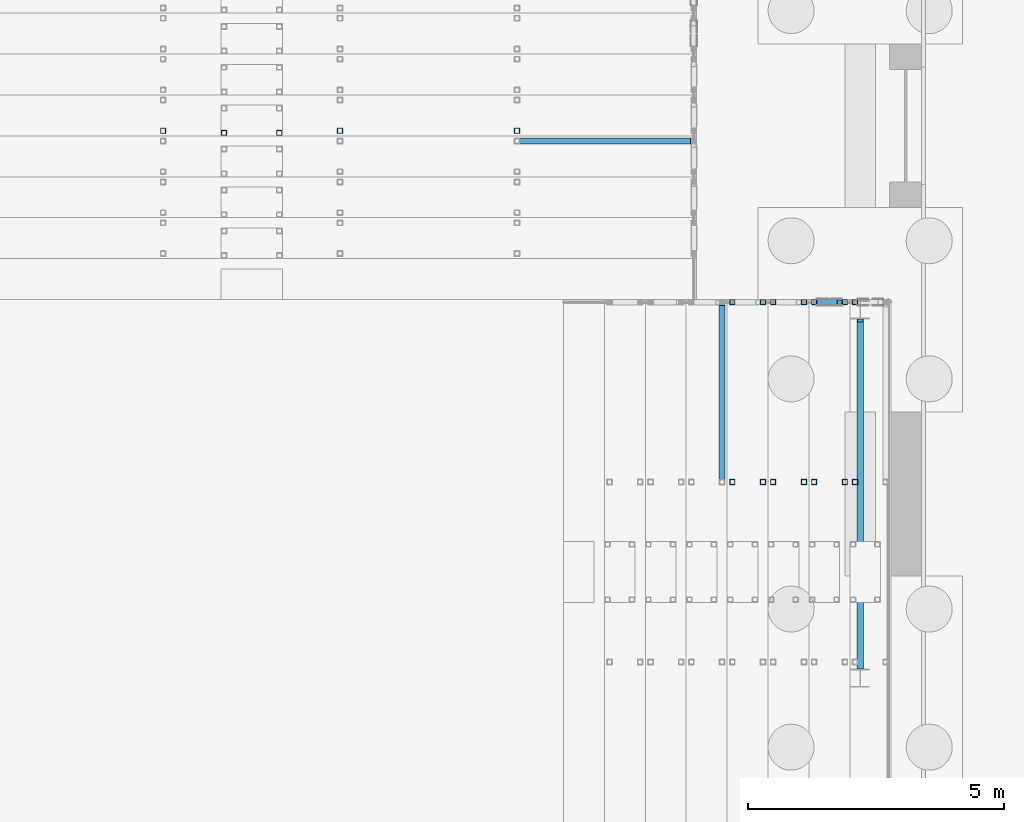
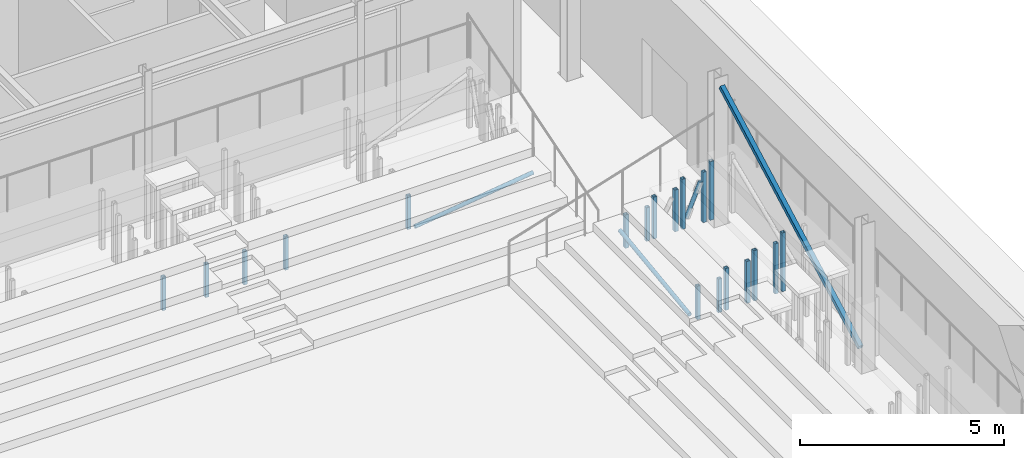
# One storey, part 53 of 139: 23 members.
"""IFC4 building model written with IfcOpenShell, lengths in metres."""

from ifc_helpers import new_model, si_unit, direction, frame, origin, origin_2d, place, context, subcontext, project, spatial, hollow_rectangle, hollow_circle, extrude, material, material_profile, profile_set, type_object, element, save


model = new_model("IFC4")

# Units and contexts
model_context = context("Model", 3, precision=1e-05, world=origin(), true_north=direction((0.0, 1.0)))
body_context = subcontext(model_context, "Body", "Model", "MODEL_VIEW")
ifc_project = project(units=[si_unit("LENGTHUNIT", "METRE"), si_unit("AREAUNIT", "SQUARE_METRE"), si_unit("VOLUMEUNIT", "CUBIC_METRE"), si_unit("PLANEANGLEUNIT", "RADIAN"), si_unit("MASSUNIT", "GRAM", prefix="KILO")], contexts=[model_context])

# Site, building, storey
site_placement = place(None, origin())
site = spatial("IfcSite", under=ifc_project, at=site_placement, CompositionType="ELEMENT")
building_placement = place(site_placement, origin())
building = spatial("IfcBuilding", under=site, at=building_placement, Name="Verrick Yard Athletic Hall", CompositionType="ELEMENT")
storey_placement = place(building_placement, origin())
storey = spatial("IfcBuildingStorey", under=building, at=storey_placement, Name="L00", CompositionType="ELEMENT", Elevation=0.0)

# Members
ifc_material = material(Name="Structural steel HSS Class C 350W (CSA G40.20/G40.21)", Category="steel")
ifc_material_profile_1 = material_profile(ifc_material, hollow_circle(Radius=0.05712890625, WallThickness=0.00634765625, at=origin_2d()), Name="HSS114x6.4")
ifc_profile_set_1 = profile_set([ifc_material_profile_1], Name="Structural steel HSS Class C 350W (CSA G40.20/G40.21)")
member_type_1 = type_object("IfcMemberType", Name="HB roof brace HSS114x6.4", PredefinedType="BRACE", material=ifc_profile_set_1)
member_1_placement = place(storey_placement, frame((162.949462890625, 96.89990234375, 0.151123046875), z_axis=(0.991140401, 0.0, 0.132818317656), x_axis=(0.0, 1.0, 0.0)))
element("IfcMember", 1, at=member_1_placement, inside=storey, type_object=member_type_1, Name="HB-BRL-RSA1-z4", PredefinedType="BRACE", context=body_context, shape_type="SweptSolid", body=[
    extrude(hollow_circle(Radius=0.05712890625, WallThickness=0.00634765625, at=origin_2d()), origin(), (0.0, 0.0, 1.0), 3.37109375),
])
member_2_placement = place(storey_placement, frame((168.803466796875, 93.749267578125, 0.277099609375), z_axis=(0.383768953832, 0.0, 0.923429147295), x_axis=(0.0, 1.0, 0.0)))
element("IfcMember", 2, at=member_2_placement, inside=storey, type_object=member_type_1, Name="HB-BRS-RSA2-z7", PredefinedType="BRACE", context=body_context, shape_type="SweptSolid", body=[
    extrude(hollow_circle(Radius=0.05712890625, WallThickness=0.00634765625, at=origin_2d()), origin(), (0.0, 0.0, 1.0), 1.024169921875),
])
member_3_placement = place(storey_placement, frame((166.89990234375, 90.291015625, 0.15087890625), z_axis=(0.0, 0.991420823535, 0.130708647997), x_axis=(-1.0, 0.0, 0.0)))
element("IfcMember", 3, at=member_3_placement, inside=storey, type_object=member_type_1, Name="HB-BRL-RSA2-z4", PredefinedType="BRACE", context=body_context, shape_type="SweptSolid", body=[
    extrude(hollow_circle(Radius=0.05712890625, WallThickness=0.00634765625, at=origin_2d()), origin(), (0.0, 0.0, 1.0), 3.429443359375),
])
ifc_material_profile_2 = material_profile(ifc_material, hollow_rectangle(XDim=0.1015625, YDim=0.1015625, WallThickness=0.00634765625, at=origin_2d()), Name="HSS102x102x6.4")
ifc_profile_set_2 = profile_set([ifc_material_profile_2], Name="Structural steel HSS Class C 350W (CSA G40.20/G40.21)")
member_type_2 = type_object("IfcMemberType", Name="HB seating post HSS102x102x6.4", PredefinedType="POST", material=ifc_profile_set_2)
for number, where, z_axis, x_axis, name in (
    (4, (157.163818359375, 97.06005859375, 0.0), (0.0, 0.0, 1.0), (0.0, 1.0, 0.0), "HB-SP-RSA1-A2S5a"),
    (5, (158.24365234375, 97.06005859375, 0.0), (0.0, 0.0, 1.0), (0.0, 1.0, 0.0), "HB-SP-RSA1-A2S5b"),
    (6, (155.974609375, 97.10009765625, 0.0), (0.0, 0.0, 1.0), (0.0, 1.0, 0.0), "HB-SP-RSA1-T5f10"),
    (7, (159.432861328125, 97.10009765625, 0.0), (0.0, 0.0, 1.0), (0.0, 1.0, 0.0), "HB-SP-RSA1-T5f11"),
    (8, (162.89111328125, 97.10009765625, 0.0), (0.0, 0.0, 1.0), (0.0, 1.0, 0.0), "HB-SP-RSA1-T5f12"),
    (9, (167.10009765625, 90.23291015625, 0.0), (0.0, 0.0, 1.0), (0.0, 1.0, 0.0), "HB-SP-RSA2-T5f6"),
    (10, (167.10009765625, 93.749267578125, 0.0), (0.0, 0.0, 1.0), (0.0, 1.0, 0.0), "HB-SP-RSA2-T5f7"),
    (11, (167.699951171875, 90.23291015625, 0.0), (0.0, 0.0, 1.0), (0.0, 1.0, 0.0), "HB-SP-RSA2-T5b6"),
    (12, (167.699951171875, 93.749267578125, 0.0), (0.0, 0.0, 1.0), (0.0, 1.0, 0.0), "HB-SP-RSA2-T5b7"),
):
    element("IfcMember", number, at=place(storey_placement, frame(where, z_axis=z_axis, x_axis=x_axis)), inside=storey, type_object=member_type_2, Name=name, PredefinedType="POST", context=body_context, shape_type="SweptSolid", body=[
        extrude(hollow_rectangle(XDim=0.1015625, YDim=0.1015625, WallThickness=0.00634765625, at=origin_2d()), origin(), (0.0, 0.0, 1.0), 1.0),
    ])
for number, where, z_axis, x_axis, name in (
    (13, (167.89990234375, 90.23291015625, 0.0), (0.0, 0.0, 1.0), (0.0, 1.0, 0.0), "HB-SP-RSA2-T6f6"),
    (14, (167.89990234375, 93.749267578125, 0.0), (0.0, 0.0, 1.0), (0.0, 1.0, 0.0), "HB-SP-RSA2-T6f7"),
    (15, (168.5, 90.23291015625, 0.0), (0.0, 0.0, 1.0), (0.0, 1.0, 0.0), "HB-SP-RSA2-T6b6"),
    (16, (168.5, 93.749267578125, 0.0), (0.0, 0.0, 1.0), (0.0, 1.0, 0.0), "HB-SP-RSA2-T6b7"),
):
    element("IfcMember", number, at=place(storey_placement, frame(where, z_axis=z_axis, x_axis=x_axis)), inside=storey, type_object=member_type_2, Name=name, PredefinedType="POST", context=body_context, shape_type="SweptSolid", body=[
        extrude(hollow_rectangle(XDim=0.1015625, YDim=0.1015625, WallThickness=0.00634765625, at=origin_2d()), origin(), (0.0, 0.0, 1.0), 1.25),
    ])
for number, where, z_axis, x_axis, name in (
    (17, (168.699951171875, 90.23291015625, 0.0), (0.0, 0.0, 1.0), (0.0, 1.0, 0.0), "HB-SP-RSA2-T7f6"),
    (18, (168.699951171875, 93.749267578125, 0.0), (0.0, 0.0, 1.0), (0.0, 1.0, 0.0), "HB-SP-RSA2-T7f7"),
    (19, (169.300048828125, 90.23291015625, 0.0), (0.0, 0.0, 1.0), (0.0, 1.0, 0.0), "HB-SP-RSA2-T7b6"),
    (20, (169.300048828125, 93.749267578125, 0.0), (0.0, 0.0, 1.0), (0.0, 1.0, 0.0), "HB-SP-RSA2-T7b7"),
):
    element("IfcMember", number, at=place(storey_placement, frame(where, z_axis=z_axis, x_axis=x_axis)), inside=storey, type_object=member_type_2, Name=name, PredefinedType="POST", context=body_context, shape_type="SweptSolid", body=[
        extrude(hollow_rectangle(XDim=0.1015625, YDim=0.1015625, WallThickness=0.00634765625, at=origin_2d()), origin(), (0.0, 0.0, 1.0), 1.5),
    ])
for number, where, z_axis, x_axis, name in (
    (21, (169.5, 90.23291015625, 0.0), (0.0, 0.0, 1.0), (0.0, 1.0, 0.0), "HB-SP-RSA2-T8f6"),
    (22, (169.5, 93.749267578125, 0.0), (0.0, 0.0, 1.0), (0.0, 1.0, 0.0), "HB-SP-RSA2-T8f7"),
):
    element("IfcMember", number, at=place(storey_placement, frame(where, z_axis=z_axis, x_axis=x_axis)), inside=storey, type_object=member_type_2, Name=name, PredefinedType="POST", context=body_context, shape_type="SweptSolid", body=[
        extrude(hollow_rectangle(XDim=0.1015625, YDim=0.1015625, WallThickness=0.00634765625, at=origin_2d()), origin(), (0.0, 0.0, 1.0), 1.75),
    ])
ifc_material_profile_3 = material_profile(ifc_material, hollow_rectangle(XDim=0.126953125, YDim=0.126953125, WallThickness=0.009521484375, at=origin_2d()), Name="HSS127x127x9.5")
ifc_profile_set_3 = profile_set([ifc_material_profile_3], Name="Structural steel HSS Class C 350W (CSA G40.20/G40.21)")
member_type_3 = type_object("IfcMemberType", Name="HB wall brace HSS127x127x9.5", PredefinedType="BRACE", material=ifc_profile_set_3)
member_4_placement = place(storey_placement, frame((169.60009765625, 86.608154296875, 0.46630859375), z_axis=(0.0, 0.879765571359, 0.475407761245), x_axis=(-1.0, 0.0, 0.0)))
element("IfcMember", 23, at=member_4_placement, inside=storey, type_object=member_type_3, Name="HB-BRW-AE-3-L00", PredefinedType="BRACE", context=body_context, shape_type="SweptSolid", body=[
    extrude(hollow_rectangle(XDim=0.126953125, YDim=0.126953125, WallThickness=0.009521484375, at=origin_2d()), origin(), (0.0, 0.0, 1.0), 7.710693359375),
])

save(model, "model.ifc")
